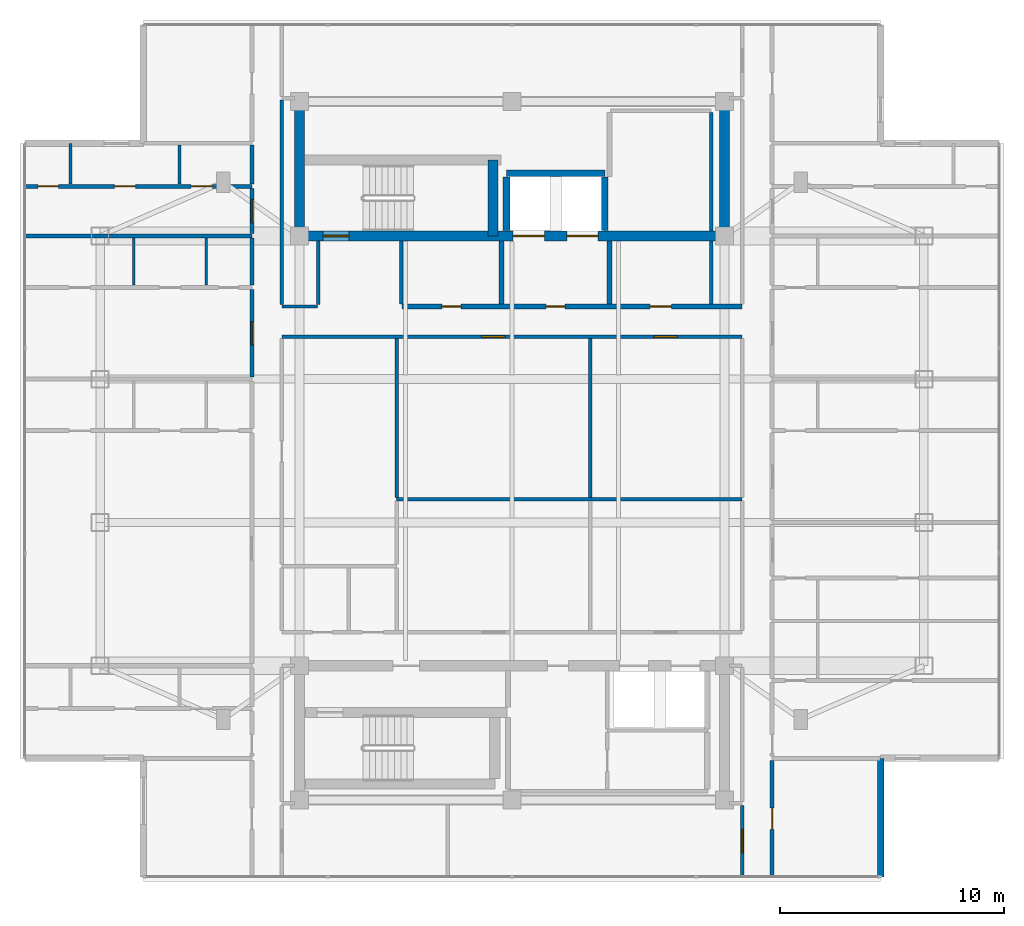
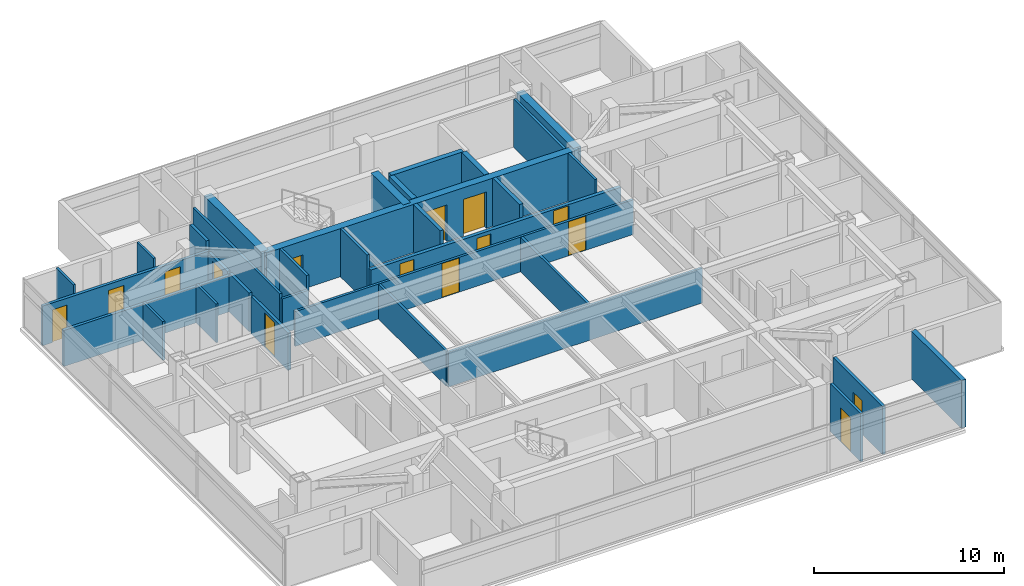
# One storey, part 9 of 14: 33 walls, 15 doors, 15 openings.
"""IFC4 building model written with IfcOpenShell, lengths in metres."""

from ifc_helpers import new_model, si_unit, direction, frame, frame_2d, origin, place, context, subcontext, project, spatial, rectangle, extrude, material, layer, layer_set, type_object, element, fill, save


model = new_model("IFC4")

# Units and contexts
model_context = context("Model", 3, precision=1e-05, world=origin(), true_north=direction((0.0, 1.0)))
body_context = subcontext(model_context, "Body", "Model", "MODEL_VIEW")
ifc_project = project(units=[si_unit("LENGTHUNIT", "METRE"), si_unit("AREAUNIT", "SQUARE_METRE"), si_unit("VOLUMEUNIT", "CUBIC_METRE"), si_unit("PLANEANGLEUNIT", "RADIAN"), si_unit("MASSUNIT", "GRAM", prefix="KILO")], contexts=[model_context])

# Site, building, storey
site_placement = place(None, origin())
site = spatial("IfcSite", under=ifc_project, at=site_placement, CompositionType="ELEMENT")
building_placement = place(site_placement, origin())
building = spatial("IfcBuilding", under=site, at=building_placement, Name="Mirazonda Arch Towers", CompositionType="ELEMENT")
storey_placement = place(building_placement, frame((0.0, 0.0, 239.199951171875)))
storey = spatial("IfcBuildingStorey", under=building, at=storey_placement, Name="L68", CompositionType="ELEMENT", Elevation=239.199951171875)

# Walls
ifc_material_1 = material(Name="Concrete C50/60", Category="concrete")
ifc_layer_1 = layer(ifc_material_1, 0.449951171875, Name="WALL-CORE-450")
ifc_layer_set_1 = layer_set([ifc_layer_1], Name="Concrete C50/60")
wall_type_1 = type_object("IfcWallType", Name="WALL-CORE-450", PredefinedType="SHEAR", material=ifc_layer_set_1)
for number, where, z_axis, x_axis, name in (
    (1, (11.0, 37.60009765625, 0.0), (0.0, 0.0, 1.0), (0.0, 1.0, 0.0), "L68 T1N-W Core Shear Wall"),
    (2, (30.0, 37.60009765625, 0.0), (0.0, 0.0, 1.0), (0.0, 1.0, 0.0), "L68 T1N-E Core Shear Wall"),
):
    element("IfcWall", number, at=place(storey_placement, frame(where, z_axis=z_axis, x_axis=x_axis)), inside=storey, type_object=wall_type_1, Name=name, PredefinedType="SHEAR", context=body_context, shape_type="SweptSolid", body=[
        extrude(rectangle(XDim=6.0, YDim=0.449951171875, at=frame_2d((3.0, 0.0))), origin(), (0.0, 0.0, 1.0), 3.10009765625),
    ])

# Wall, openings, doors
wall_1_placement = place(storey_placement, frame((11.0, 37.60009765625, 0.0), z_axis=(0.0, 0.0, 1.0), x_axis=(1.0, 0.0, 0.0)))
wall_1 = element("IfcWall", 3, at=wall_1_placement, inside=storey, type_object=wall_type_1, Name="L68 T1N-S Core Shear Wall", PredefinedType="SHEAR", context=body_context, shape_type="SweptSolid", body=[
    extrude(rectangle(XDim=19.0, YDim=0.449951171875, at=frame_2d((9.5, 0.0))), origin(), (0.0, 0.0, 1.0), 3.10009765625),
])
opening_1_placement = place(wall_1_placement, frame((1.06005859375, 0.0, 0.0)))
opening_1 = element("IfcOpeningElement", 4, at=opening_1_placement, cuts=wall_1, Name="Opening DR-135", PredefinedType="OPENING", context=body_context, shape_type="SweptSolid", body=[
    extrude(rectangle(XDim=1.14990234375, YDim=2.199951171875, at=frame_2d((0.574951171875, 1.10009765625))), frame((0.0, 0.23486328125, 0.0), z_axis=(0.0, -1.0, 0.0), x_axis=(1.0, 0.0, 0.0)), (0.0, 0.0, 1.0), 0.469970703125),
])
opening_2_placement = place(wall_1_placement, frame((9.550048828125, 0.0, 0.0)))
opening_2 = element("IfcOpeningElement", 5, at=opening_2_placement, cuts=wall_1, Name="Opening LD-112", PredefinedType="OPENING", context=body_context, shape_type="SweptSolid", body=[
    extrude(rectangle(XDim=1.39990234375, YDim=2.35009765625, at=frame_2d((0.699951171875, 1.175048828125))), frame((0.0, 0.23486328125, 0.0), z_axis=(0.0, -1.0, 0.0), x_axis=(1.0, 0.0, 0.0)), (0.0, 0.0, 1.0), 0.469970703125),
])
opening_3_placement = place(wall_1_placement, frame((11.949951171875, 0.0, 0.0)))
opening_3 = element("IfcOpeningElement", 6, at=opening_3_placement, cuts=wall_1, Name="Opening LD-112", PredefinedType="OPENING", context=body_context, shape_type="SweptSolid", body=[
    extrude(rectangle(XDim=1.39990234375, YDim=2.35009765625, at=frame_2d((0.699951171875, 1.175048828125))), frame((0.0, 0.23486328125, 0.0), z_axis=(0.0, -1.0, 0.0), x_axis=(1.0, 0.0, 0.0)), (0.0, 0.0, 1.0), 0.469970703125),
])
ifc_material_2 = material(Name="Architectural Brushed Steel S355", Category="steel")
door_type_1 = type_object("IfcDoorType", Name="DOOR-LIFT-FFL-1400", OperationType="NOTDEFINED", PredefinedType="DOOR", material=ifc_material_2)
door_1_placement = place(opening_2_placement, origin())
door_1 = element("IfcDoor", 7, at=door_1_placement, inside=storey, type_object=door_type_1, Name="L68 Lift Landing Sliding Door FFL-T1", OperationType="DOUBLE_DOOR_SLIDING", OverallHeight=2.35009765625, OverallWidth=1.39990234375, PredefinedType="DOOR", context=body_context, shape_type="SweptSolid", body=[
    extrude(rectangle(XDim=1.39990234375, YDim=2.35009765625, at=frame_2d((0.699951171875, 1.175048828125))), frame((0.0, 0.02490234375, 0.0), z_axis=(0.0, -1.0, 0.0), x_axis=(1.0, 0.0, 0.0)), (0.0, 0.0, 1.0), 0.050048828125),
])
fill(opening_2, door_1)
door_2_placement = place(opening_3_placement, origin())
door_2 = element("IfcDoor", 8, at=door_2_placement, inside=storey, type_object=door_type_1, Name="L68 Lift Landing Sliding Door SVL-T1", OperationType="DOUBLE_DOOR_SLIDING", OverallHeight=2.35009765625, OverallWidth=1.39990234375, PredefinedType="DOOR", context=body_context, shape_type="SweptSolid", body=[
    extrude(rectangle(XDim=1.39990234375, YDim=2.35009765625, at=frame_2d((0.699951171875, 1.175048828125))), frame((0.0, 0.02490234375, 0.0), z_axis=(0.0, -1.0, 0.0), x_axis=(1.0, 0.0, 0.0)), (0.0, 0.0, 1.0), 0.050048828125),
])
fill(opening_3, door_2)
door_type_2 = type_object("IfcDoorType", Name="DOOR-STAIR-FD90-1150", OperationType="NOTDEFINED", PredefinedType="DOOR", material=ifc_material_2)
door_3_placement = place(opening_1_placement, origin())
door_3 = element("IfcDoor", 9, at=door_3_placement, inside=storey, type_object=door_type_2, Name="L68 Protected Exit Stair North Door", OperationType="SINGLE_SWING_RIGHT", OverallHeight=2.199951171875, OverallWidth=1.14990234375, PredefinedType="DOOR", context=body_context, shape_type="SweptSolid", body=[
    extrude(rectangle(XDim=1.14990234375, YDim=2.199951171875, at=frame_2d((0.574951171875, 1.10009765625))), frame((0.0, 0.02490234375, 0.0), z_axis=(0.0, -1.0, 0.0), x_axis=(1.0, 0.0, 0.0)), (0.0, 0.0, 1.0), 0.050048828125),
])
fill(opening_1, door_3)

# Walls
wall_2_placement = place(storey_placement, frame((19.64990234375, 37.60009765625, 0.0), z_axis=(0.0, 0.0, 1.0), x_axis=(0.0, 1.0, 0.0)))
element("IfcWall", 10, at=wall_2_placement, inside=storey, type_object=wall_type_1, Name="L68 T1N-STE Core Shear Wall", PredefinedType="SHEAR", context=body_context, shape_type="SweptSolid", body=[
    extrude(rectangle(XDim=3.392822265625, YDim=0.449951171875, at=frame_2d((1.6962890625, 0.0))), origin(), (0.0, 0.0, 1.0), 3.10009765625),
])
ifc_material_3 = material(Name="Precast Concrete C40/50", Category="concrete")
ifc_layer_2 = layer(ifc_material_3, 0.280029296875, Name="WALL-EXT-WALL-280")
ifc_layer_set_2 = layer_set([ifc_layer_2], Name="Precast Concrete C40/50")
wall_type_2 = type_object("IfcWallType", Name="WALL-EXT-WALL-280", PredefinedType="SOLIDWALL", material=ifc_layer_set_2)
wall_3_placement = place(storey_placement, frame((36.969970703125, 8.971923828125, 0.0), z_axis=(0.0, 0.0, 1.0), x_axis=(0.0, 1.0, 0.0)))
element("IfcWall", 11, at=wall_3_placement, inside=storey, type_object=wall_type_2, Name="L68 T1 Corner Notch Return Wall WL-L68-T1-CSE2", PredefinedType="SOLIDWALL", context=body_context, shape_type="SweptSolid", body=[
    extrude(rectangle(XDim=5.2900390625, YDim=0.280029296875, at=frame_2d((2.64501953125, 0.0))), origin(), (0.0, 0.0, 1.0), 3.080078125),
])

# Wall, openings, doors
ifc_material_4 = material(Name="Concrete C40/50", Category="concrete")
ifc_layer_3 = layer(ifc_material_4, 0.219970703125, Name="WALL-FFL-220")
ifc_layer_set_3 = layer_set([ifc_layer_3], Name="Concrete C40/50")
wall_type_3 = type_object("IfcWallType", Name="WALL-FFL-220", PredefinedType="SOLIDWALL", material=ifc_layer_set_3)
wall_4_placement = place(storey_placement, frame((15.590087890625, 34.449951171875, 0.0), z_axis=(0.0, 0.0, 1.0), x_axis=(1.0, 0.0, 0.0)))
wall_4 = element("IfcWall", 12, at=wall_4_placement, inside=storey, type_object=wall_type_3, Name="L68 Interior Partition 026", PredefinedType="SOLIDWALL", context=body_context, shape_type="SweptSolid", body=[
    extrude(rectangle(XDim=15.18994140625, YDim=0.219970703125, at=frame_2d((7.594970703125, 0.0))), origin(), (0.0, 0.0, 1.0), 2.236083984375),
])
opening_4_placement = place(wall_4_placement, frame((6.43505859375, 0.0, 0.0)))
opening_4 = element("IfcOpeningElement", 13, at=opening_4_placement, cuts=wall_4, Name="Opening DR-128", PredefinedType="OPENING", context=body_context, shape_type="SweptSolid", body=[
    extrude(rectangle(XDim=0.85009765625, YDim=2.010009765625, at=frame_2d((0.425048828125, 1.0048828125))), frame((0.0, 0.119873046875, 0.0), z_axis=(0.0, -1.0, 0.0), x_axis=(1.0, 0.0, 0.0)), (0.0, 0.0, 1.0), 0.239990234375),
])
opening_5_placement = place(wall_4_placement, frame((11.0849609375, 0.0, 0.0)))
opening_5 = element("IfcOpeningElement", 14, at=opening_5_placement, cuts=wall_4, Name="Opening DR-104", PredefinedType="OPENING", context=body_context, shape_type="SweptSolid", body=[
    extrude(rectangle(XDim=0.949951171875, YDim=2.14990234375, at=frame_2d((0.47509765625, 1.074951171875))), frame((0.0, 0.119873046875, 0.0), z_axis=(0.0, -1.0, 0.0), x_axis=(1.0, 0.0, 0.0)), (0.0, 0.0, 1.0), 0.239990234375),
])
opening_6_placement = place(wall_4_placement, frame((1.77490234375, 0.0, 0.0)))
opening_6 = element("IfcOpeningElement", 15, at=opening_6_placement, cuts=wall_4, Name="Opening DR-128", PredefinedType="OPENING", context=body_context, shape_type="SweptSolid", body=[
    extrude(rectangle(XDim=0.85009765625, YDim=2.010009765625, at=frame_2d((0.425048828125, 1.0048828125))), frame((0.0, 0.119873046875, 0.0), z_axis=(0.0, -1.0, 0.0), x_axis=(1.0, 0.0, 0.0)), (0.0, 0.0, 1.0), 0.239990234375),
])
door_type_3 = type_object("IfcDoorType", Name="DOOR-RISER-FD60-850", OperationType="NOTDEFINED", PredefinedType="DOOR", material=ifc_material_2)
door_4_placement = place(opening_4_placement, origin())
door_4 = element("IfcDoor", 16, at=door_4_placement, inside=storey, type_object=door_type_3, Name="L68 Firefighting Lift Lobby Door", OperationType="SINGLE_SWING_LEFT", OverallHeight=2.010009765625, OverallWidth=0.85009765625, PredefinedType="DOOR", context=body_context, shape_type="SweptSolid", body=[
    extrude(rectangle(XDim=0.85009765625, YDim=2.010009765625, at=frame_2d((0.425048828125, 1.0048828125))), frame((0.0, 0.02490234375, 0.0), z_axis=(0.0, -1.0, 0.0), x_axis=(1.0, 0.0, 0.0)), (0.0, 0.0, 1.0), 0.050048828125),
])
fill(opening_4, door_4)
door_5_placement = place(opening_6_placement, origin())
door_5 = element("IfcDoor", 17, at=door_5_placement, inside=storey, type_object=door_type_3, Name="L68 Housekeeping Linen Room Door", OperationType="SINGLE_SWING_LEFT", OverallHeight=2.010009765625, OverallWidth=0.85009765625, PredefinedType="DOOR", context=body_context, shape_type="SweptSolid", body=[
    extrude(rectangle(XDim=0.85009765625, YDim=2.010009765625, at=frame_2d((0.425048828125, 1.0048828125))), frame((0.0, 0.02490234375, 0.0), z_axis=(0.0, -1.0, 0.0), x_axis=(1.0, 0.0, 0.0)), (0.0, 0.0, 1.0), 0.050048828125),
])
fill(opening_6, door_5)
door_type_4 = type_object("IfcDoorType", Name="DOOR-ROOM-950", OperationType="NOTDEFINED", PredefinedType="DOOR", material=ifc_material_2)
door_6_placement = place(opening_5_placement, origin())
door_6 = element("IfcDoor", 18, at=door_6_placement, inside=storey, type_object=door_type_4, Name="L68 Residents Private Art Gallery Door", OperationType="SINGLE_SWING_RIGHT", OverallHeight=2.14990234375, OverallWidth=0.949951171875, PredefinedType="DOOR", context=body_context, shape_type="SweptSolid", body=[
    extrude(rectangle(XDim=0.949951171875, YDim=2.14990234375, at=frame_2d((0.47509765625, 1.074951171875))), frame((0.0, 0.02490234375, 0.0), z_axis=(0.0, -1.0, 0.0), x_axis=(1.0, 0.0, 0.0)), (0.0, 0.0, 1.0), 0.050048828125),
])
fill(opening_5, door_6)

# Walls
for number, where, z_axis, x_axis, name in (
    (19, (20.02490234375, 34.570068359375, 0.0), (0.0, 0.0, 1.0), (0.0, 1.0, 0.0), "L68 Interior Partition 071"),
    (20, (24.85009765625, 34.570068359375, 0.0), (0.0, 0.0, 1.0), (0.0, 1.0, 0.0), "L68 Interior Partition 080"),
):
    element("IfcWall", number, at=place(storey_placement, frame(where, z_axis=z_axis, x_axis=x_axis)), inside=storey, type_object=wall_type_3, Name=name, PredefinedType="SOLIDWALL", context=body_context, shape_type="SweptSolid", body=[
        extrude(rectangle(XDim=2.809814453125, YDim=0.219970703125, at=frame_2d((1.40478515625, 0.0))), origin(), (0.0, 0.0, 1.0), 3.10009765625),
    ])
ifc_material_5 = material(Name="Fire-Rated Gypsum Stud Partition")
ifc_layer_4 = layer(ifc_material_5, 0.14990234375, Name="WALL-PART-CORR-150")
ifc_layer_set_4 = layer_set([ifc_layer_4], Name="Fire-Rated Gypsum Stud Partition")
wall_type_4 = type_object("IfcWallType", Name="WALL-PART-CORR-150", PredefinedType="PARTITIONING", material=ifc_layer_set_4)
wall_5_placement = place(storey_placement, frame((15.35009765625, 25.840087890625, 0.0), z_axis=(0.0, 0.0, 1.0), x_axis=(1.0, 0.0, 0.0)))
element("IfcWall", 21, at=wall_5_placement, inside=storey, type_object=wall_type_4, Name="L68 Interior Partition 019", PredefinedType="PARTITIONING", context=body_context, shape_type="SweptSolid", body=[
    extrude(rectangle(XDim=15.429931640625, YDim=0.14990234375, at=frame_2d((7.71484375, 0.0))), origin(), (0.0, 0.0, 1.0), 2.236083984375),
])

# Wall, openings, doors
wall_6_placement = place(storey_placement, frame((10.219970703125, 33.10009765625, 0.0), z_axis=(0.0, 0.0, 1.0), x_axis=(1.0, 0.0, 0.0)))
wall_6 = element("IfcWall", 22, at=wall_6_placement, inside=storey, type_object=wall_type_4, Name="L68 Interior Partition 024", PredefinedType="PARTITIONING", context=body_context, shape_type="SweptSolid", body=[
    extrude(rectangle(XDim=20.56005859375, YDim=0.14990234375, at=frame_2d((10.280029296875, 0.0))), origin(), (0.0, 0.0, 1.0), 2.236083984375),
])
opening_7_placement = place(wall_6_placement, frame((8.925537109375, 0.0, 0.0)))
opening_7 = element("IfcOpeningElement", 23, at=opening_7_placement, cuts=wall_6, Name="Opening DR-121", PredefinedType="OPENING", context=body_context, shape_type="SweptSolid", body=[
    extrude(rectangle(XDim=1.050048828125, YDim=2.199951171875, at=frame_2d((0.52490234375, 1.10009765625))), frame((0.0, 0.0849609375, 0.0), z_axis=(0.0, -1.0, 0.0), x_axis=(1.0, 0.0, 0.0)), (0.0, 0.0, 1.0), 0.169921875),
])
opening_8_placement = place(wall_6_placement, frame((16.62060546875, 0.0, 0.0)))
opening_8 = element("IfcOpeningElement", 24, at=opening_8_placement, cuts=wall_6, Name="Opening DR-121", PredefinedType="OPENING", context=body_context, shape_type="SweptSolid", body=[
    extrude(rectangle(XDim=1.050048828125, YDim=2.199951171875, at=frame_2d((0.52490234375, 1.10009765625))), frame((0.0, 0.0849609375, 0.0), z_axis=(0.0, -1.0, 0.0), x_axis=(1.0, 0.0, 0.0)), (0.0, 0.0, 1.0), 0.169921875),
])
door_type_5 = type_object("IfcDoorType", Name="DOOR-SUITE-FD60-1050", OperationType="NOTDEFINED", PredefinedType="DOOR", material=ifc_material_2)
door_7_placement = place(opening_7_placement, origin())
door_7 = element("IfcDoor", 25, at=door_7_placement, inside=storey, type_object=door_type_5, Name="L68 Private Dining Room Door", OperationType="SINGLE_SWING_RIGHT", OverallHeight=2.199951171875, OverallWidth=1.050048828125, PredefinedType="DOOR", context=body_context, shape_type="SweptSolid", body=[
    extrude(rectangle(XDim=1.050048828125, YDim=2.199951171875, at=frame_2d((0.52490234375, 1.10009765625))), frame((0.0, 0.02490234375, 0.0), z_axis=(0.0, -1.0, 0.0), x_axis=(1.0, 0.0, 0.0)), (0.0, 0.0, 1.0), 0.050048828125),
])
fill(opening_7, door_7)
door_8_placement = place(opening_8_placement, origin())
door_8 = element("IfcDoor", 26, at=door_8_placement, inside=storey, type_object=door_type_5, Name="L68 Collectors Gallery Study Door", OperationType="SINGLE_SWING_LEFT", OverallHeight=2.199951171875, OverallWidth=1.050048828125, PredefinedType="DOOR", context=body_context, shape_type="SweptSolid", body=[
    extrude(rectangle(XDim=1.050048828125, YDim=2.199951171875, at=frame_2d((0.52490234375, 1.10009765625))), frame((0.0, 0.02490234375, 0.0), z_axis=(0.0, -1.0, 0.0), x_axis=(1.0, 0.0, 0.0)), (0.0, 0.0, 1.0), 0.050048828125),
])
fill(opening_8, door_8)

# Walls
wall_7_placement = place(storey_placement, frame((10.219970703125, 34.449951171875, 0.0), z_axis=(0.0, 0.0, 1.0), x_axis=(1.0, 0.0, 0.0)))
element("IfcWall", 27, at=wall_7_placement, inside=storey, type_object=wall_type_4, Name="L68 Interior Partition 025", PredefinedType="PARTITIONING", context=body_context, shape_type="SweptSolid", body=[
    extrude(rectangle(XDim=1.580078125, YDim=0.14990234375, at=frame_2d((0.7900390625, 0.0))), origin(), (0.0, 0.0, 1.0), 2.236083984375),
])
wall_8_placement = place(storey_placement, frame((10.219970703125, 34.534912109375, 0.0), z_axis=(0.0, 0.0, 1.0), x_axis=(0.0, 1.0, 0.0)))
element("IfcWall", 28, at=wall_8_placement, inside=storey, type_object=wall_type_4, Name="L68 Interior Partition 061", PredefinedType="PARTITIONING", context=body_context, shape_type="SweptSolid", body=[
    extrude(rectangle(XDim=9.130126953125, YDim=0.14990234375, at=frame_2d((4.56494140625, 0.0))), origin(), (0.0, 0.0, 1.0), 2.491943359375),
])
wall_9_placement = place(storey_placement, frame((11.85009765625, 34.534912109375, 0.0), z_axis=(0.0, 0.0, 1.0), x_axis=(0.0, 1.0, 0.0)))
element("IfcWall", 29, at=wall_9_placement, inside=storey, type_object=wall_type_4, Name="L68 Interior Partition 063", PredefinedType="PARTITIONING", context=body_context, shape_type="SweptSolid", body=[
    extrude(rectangle(XDim=2.844970703125, YDim=0.14990234375, at=frame_2d((1.42236328125, 0.0))), origin(), (0.0, 0.0, 1.0), 3.10009765625),
])
wall_10_placement = place(storey_placement, frame((15.35009765625, 25.925048828125, 0.0), z_axis=(0.0, 0.0, 1.0), x_axis=(0.0, 1.0, 0.0)))
element("IfcWall", 30, at=wall_10_placement, inside=storey, type_object=wall_type_4, Name="L68 Interior Partition 067", PredefinedType="PARTITIONING", context=body_context, shape_type="SweptSolid", body=[
    extrude(rectangle(XDim=7.08984375, YDim=0.14990234375, at=frame_2d((3.544921875, 0.0))), origin(), (0.0, 0.0, 1.0), 2.236083984375),
])
wall_11_placement = place(storey_placement, frame((15.550048828125, 34.570068359375, 0.0), z_axis=(0.0, 0.0, 1.0), x_axis=(0.0, 1.0, 0.0)))
element("IfcWall", 31, at=wall_11_placement, inside=storey, type_object=wall_type_4, Name="L68 Interior Partition 068", PredefinedType="PARTITIONING", context=body_context, shape_type="SweptSolid", body=[
    extrude(rectangle(XDim=2.809814453125, YDim=0.14990234375, at=frame_2d((1.40478515625, 0.0))), origin(), (0.0, 0.0, 1.0), 3.10009765625),
])
wall_12_placement = place(storey_placement, frame((23.990966796875, 25.925048828125, 0.0), z_axis=(0.0, 0.0, 1.0), x_axis=(0.0, 1.0, 0.0)))
element("IfcWall", 32, at=wall_12_placement, inside=storey, type_object=wall_type_4, Name="L68 Interior Partition 076", PredefinedType="PARTITIONING", context=body_context, shape_type="SweptSolid", body=[
    extrude(rectangle(XDim=7.08984375, YDim=0.14990234375, at=frame_2d((3.544921875, 0.0))), origin(), (0.0, 0.0, 1.0), 2.236083984375),
])
wall_13_placement = place(storey_placement, frame((29.39990234375, 34.570068359375, 0.0), z_axis=(0.0, 0.0, 1.0), x_axis=(0.0, 1.0, 0.0)))
element("IfcWall", 33, at=wall_13_placement, inside=storey, type_object=wall_type_4, Name="L68 Interior Partition 084", PredefinedType="PARTITIONING", context=body_context, shape_type="SweptSolid", body=[
    extrude(rectangle(XDim=2.809814453125, YDim=0.14990234375, at=frame_2d((1.40478515625, 0.0))), origin(), (0.0, 0.0, 1.0), 3.10009765625),
])
wall_14_placement = place(storey_placement, frame((29.39990234375, 37.820068359375, 0.0), z_axis=(0.0, 0.0, 1.0), x_axis=(0.0, 1.0, 0.0)))
element("IfcWall", 34, at=wall_14_placement, inside=storey, type_object=wall_type_4, Name="L68 Interior Partition 085", PredefinedType="PARTITIONING", context=body_context, shape_type="SweptSolid", body=[
    extrude(rectangle(XDim=5.294921875, YDim=0.14990234375, at=frame_2d((2.6474609375, 0.0))), origin(), (0.0, 0.0, 1.0), 3.10009765625),
])

# Wall, opening, door
wall_15_placement = place(storey_placement, frame((30.780029296875, 8.971923828125, 0.0), z_axis=(0.0, 0.0, 1.0), x_axis=(0.0, 1.0, 0.0)))
wall_15 = element("IfcWall", 35, at=wall_15_placement, inside=storey, type_object=wall_type_4, Name="L68 Interior Partition 086", PredefinedType="PARTITIONING", context=body_context, shape_type="SweptSolid", body=[
    extrude(rectangle(XDim=3.193115234375, YDim=0.14990234375, at=frame_2d((1.5966796875, 0.0))), origin(), (0.0, 0.0, 1.0), 3.10009765625),
])
opening_9_placement = place(wall_15_placement, frame((1.071533203125, 0.0, 0.0)))
opening_9 = element("IfcOpeningElement", 36, at=opening_9_placement, cuts=wall_15, Name="Opening DR-121", PredefinedType="OPENING", context=body_context, shape_type="SweptSolid", body=[
    extrude(rectangle(XDim=1.050048828125, YDim=2.199951171875, at=frame_2d((0.52490234375, 1.10009765625))), frame((0.0, 0.0849609375, 0.0), z_axis=(0.0, -1.0, 0.0), x_axis=(1.0, 0.0, 0.0)), (0.0, 0.0, 1.0), 0.169921875),
])
door_9_placement = place(opening_9_placement, origin())
door_9 = element("IfcDoor", 37, at=door_9_placement, inside=storey, type_object=door_type_5, Name="L68 South Panoramic Study Grand Door", OperationType="SINGLE_SWING_LEFT", OverallHeight=2.199951171875, OverallWidth=1.050048828125, PredefinedType="DOOR", context=body_context, shape_type="SweptSolid", body=[
    extrude(rectangle(XDim=1.050048828125, YDim=2.199951171875, at=frame_2d((0.52490234375, 1.10009765625))), frame((0.0, 0.02490234375, 0.0), z_axis=(0.0, -1.0, 0.0), x_axis=(1.0, 0.0, 0.0)), (0.0, 0.0, 1.0), 0.050048828125),
])
fill(opening_9, door_9)

# Wall
ifc_material_6 = material(Name="Fire-Rated Gypsum Twin-Stud Assembly")
ifc_layer_5 = layer(ifc_material_6, 0.179931640625, Name="WALL-PART-DEMISE-180")
ifc_layer_set_5 = layer_set([ifc_layer_5], Name="Fire-Rated Gypsum Twin-Stud Assembly")
wall_type_5 = type_object("IfcWallType", Name="WALL-PART-DEMISE-180", PredefinedType="PARTITIONING", material=ifc_layer_set_5)
wall_16_placement = place(storey_placement, frame((-1.260009765625, 37.60009765625, 0.0), z_axis=(0.0, 0.0, 1.0), x_axis=(1.0, 0.0, 0.0)))
element("IfcWall", 38, at=wall_16_placement, inside=storey, type_object=wall_type_5, Name="L68 Interior Partition 029", PredefinedType="PARTITIONING", context=body_context, shape_type="SweptSolid", body=[
    extrude(rectangle(XDim=10.139892578125, YDim=0.179931640625, at=frame_2d((5.06982421875, 0.0))), origin(), (0.0, 0.0, 1.0), 2.319091796875),
])

# Wall, openings, doors
wall_17_placement = place(storey_placement, frame((-1.260009765625, 39.818115234375, 0.0), z_axis=(0.0, 0.0, 1.0), x_axis=(1.0, 0.0, 0.0)))
wall_17 = element("IfcWall", 39, at=wall_17_placement, inside=storey, type_object=wall_type_5, Name="L68 Interior Partition 031", PredefinedType="PARTITIONING", context=body_context, shape_type="SweptSolid", body=[
    extrude(rectangle(XDim=10.139892578125, YDim=0.179931640625, at=frame_2d((5.06982421875, 0.0))), origin(), (0.0, 0.0, 1.0), 2.54296875),
])
opening_10_placement = place(wall_17_placement, frame((3.9951171875, 0.0, 0.0)))
opening_10 = element("IfcOpeningElement", 40, at=opening_10_placement, cuts=wall_17, Name="Opening DR-104", PredefinedType="OPENING", context=body_context, shape_type="SweptSolid", body=[
    extrude(rectangle(XDim=0.949951171875, YDim=2.14990234375, at=frame_2d((0.47509765625, 1.074951171875))), frame((0.0, 0.099853515625, 0.0), z_axis=(0.0, -1.0, 0.0), x_axis=(1.0, 0.0, 0.0)), (0.0, 0.0, 1.0), 0.199951171875),
])
opening_11_placement = place(wall_17_placement, frame((7.425048828125, 0.0, 0.0)))
opening_11 = element("IfcOpeningElement", 41, at=opening_11_placement, cuts=wall_17, Name="Opening DR-104", PredefinedType="OPENING", context=body_context, shape_type="SweptSolid", body=[
    extrude(rectangle(XDim=0.949951171875, YDim=2.14990234375, at=frame_2d((0.47509765625, 1.074951171875))), frame((0.0, 0.099853515625, 0.0), z_axis=(0.0, -1.0, 0.0), x_axis=(1.0, 0.0, 0.0)), (0.0, 0.0, 1.0), 0.199951171875),
])
opening_12_placement = place(wall_17_placement, frame((0.590087890625, 0.0, 0.0)))
opening_12 = element("IfcOpeningElement", 42, at=opening_12_placement, cuts=wall_17, Name="Opening DR-120", PredefinedType="OPENING", context=body_context, shape_type="SweptSolid", body=[
    extrude(rectangle(XDim=0.89990234375, YDim=2.10009765625, at=frame_2d((0.449951171875, 1.050048828125))), frame((0.0, 0.099853515625, 0.0), z_axis=(0.0, -1.0, 0.0), x_axis=(1.0, 0.0, 0.0)), (0.0, 0.0, 1.0), 0.199951171875),
])
door_10_placement = place(opening_10_placement, origin())
door_10 = element("IfcDoor", 43, at=door_10_placement, inside=storey, type_object=door_type_4, Name="L68 Residence 4 Principal Bedroom Door", OperationType="SINGLE_SWING_RIGHT", OverallHeight=2.14990234375, OverallWidth=0.949951171875, PredefinedType="DOOR", context=body_context, shape_type="SweptSolid", body=[
    extrude(rectangle(XDim=0.949951171875, YDim=2.14990234375, at=frame_2d((0.47509765625, 1.074951171875))), frame((0.0, 0.02490234375, 0.0), z_axis=(0.0, -1.0, 0.0), x_axis=(1.0, 0.0, 0.0)), (0.0, 0.0, 1.0), 0.050048828125),
])
fill(opening_10, door_10)
door_11_placement = place(opening_11_placement, origin())
door_11 = element("IfcDoor", 44, at=door_11_placement, inside=storey, type_object=door_type_4, Name="L68 Residence 4 Fitted Kitchen Door", OperationType="SINGLE_SWING_LEFT", OverallHeight=2.14990234375, OverallWidth=0.949951171875, PredefinedType="DOOR", context=body_context, shape_type="SweptSolid", body=[
    extrude(rectangle(XDim=0.949951171875, YDim=2.14990234375, at=frame_2d((0.47509765625, 1.074951171875))), frame((0.0, 0.02490234375, 0.0), z_axis=(0.0, -1.0, 0.0), x_axis=(1.0, 0.0, 0.0)), (0.0, 0.0, 1.0), 0.050048828125),
])
fill(opening_11, door_11)
door_type_6 = type_object("IfcDoorType", Name="DOOR-WC-900", OperationType="NOTDEFINED", PredefinedType="DOOR", material=ifc_material_2)
door_12_placement = place(opening_12_placement, origin())
door_12 = element("IfcDoor", 45, at=door_12_placement, inside=storey, type_object=door_type_6, Name="L68 Residence 4 Bathroom Door", OperationType="SINGLE_SWING_RIGHT", OverallHeight=2.10009765625, OverallWidth=0.89990234375, PredefinedType="DOOR", context=body_context, shape_type="SweptSolid", body=[
    extrude(rectangle(XDim=0.89990234375, YDim=2.10009765625, at=frame_2d((0.449951171875, 1.050048828125))), frame((0.0, 0.02490234375, 0.0), z_axis=(0.0, -1.0, 0.0), x_axis=(1.0, 0.0, 0.0)), (0.0, 0.0, 1.0), 0.050048828125),
])
fill(opening_12, door_12)

# Wall, opening, door
wall_18_placement = place(storey_placement, frame((8.8798828125, 31.300048828125, 0.0), z_axis=(0.0, 0.0, 1.0), x_axis=(0.0, 1.0, 0.0)))
wall_18 = element("IfcWall", 46, at=wall_18_placement, inside=storey, type_object=wall_type_5, Name="L68 Interior Partition 052", PredefinedType="PARTITIONING", context=body_context, shape_type="SweptSolid", body=[
    extrude(rectangle(XDim=3.89990234375, YDim=0.179931640625, at=frame_2d((1.949951171875, 0.0))), origin(), (0.0, 0.0, 1.0), 2.39599609375),
])
opening_13_placement = place(wall_18_placement, frame((1.425048828125, 0.0, 0.0)))
opening_13 = element("IfcOpeningElement", 47, at=opening_13_placement, cuts=wall_18, Name="Opening DR-121", PredefinedType="OPENING", context=body_context, shape_type="SweptSolid", body=[
    extrude(rectangle(XDim=1.050048828125, YDim=2.199951171875, at=frame_2d((0.52490234375, 1.10009765625))), frame((0.0, 0.099853515625, 0.0), z_axis=(0.0, -1.0, 0.0), x_axis=(1.0, 0.0, 0.0)), (0.0, 0.0, 1.0), 0.199951171875),
])
door_13_placement = place(opening_13_placement, origin())
door_13 = element("IfcDoor", 48, at=door_13_placement, inside=storey, type_object=door_type_5, Name="L68 Residence 3 Living & Dining Salon Door", OperationType="SINGLE_SWING_LEFT", OverallHeight=2.199951171875, OverallWidth=1.050048828125, PredefinedType="DOOR", context=body_context, shape_type="SweptSolid", body=[
    extrude(rectangle(XDim=1.050048828125, YDim=2.199951171875, at=frame_2d((0.52490234375, 1.10009765625))), frame((0.0, 0.02490234375, 0.0), z_axis=(0.0, -1.0, 0.0), x_axis=(1.0, 0.0, 0.0)), (0.0, 0.0, 1.0), 0.050048828125),
])
fill(opening_13, door_13)

# Wall
wall_19_placement = place(storey_placement, frame((8.8798828125, 35.39990234375, 0.0), z_axis=(0.0, 0.0, 1.0), x_axis=(0.0, 1.0, 0.0)))
element("IfcWall", 49, at=wall_19_placement, inside=storey, type_object=wall_type_5, Name="L68 Interior Partition 053", PredefinedType="PARTITIONING", context=body_context, shape_type="SweptSolid", body=[
    extrude(rectangle(XDim=2.10009765625, YDim=0.179931640625, at=frame_2d((1.050048828125, 0.0))), origin(), (0.0, 0.0, 1.0), 2.491943359375),
])

# Wall, opening, door
wall_20_placement = place(storey_placement, frame((8.8798828125, 37.699951171875, 0.0), z_axis=(0.0, 0.0, 1.0), x_axis=(0.0, 1.0, 0.0)))
wall_20 = element("IfcWall", 50, at=wall_20_placement, inside=storey, type_object=wall_type_5, Name="L68 Interior Partition 054", PredefinedType="PARTITIONING", context=body_context, shape_type="SweptSolid", body=[
    extrude(rectangle(XDim=2.01806640625, YDim=0.179931640625, at=frame_2d((1.009033203125, 0.0))), origin(), (0.0, 0.0, 1.0), 2.491943359375),
])
opening_14_placement = place(wall_20_placement, frame((0.48388671875, 0.0, 0.0)))
opening_14 = element("IfcOpeningElement", 51, at=opening_14_placement, cuts=wall_20, Name="Opening DR-121", PredefinedType="OPENING", context=body_context, shape_type="SweptSolid", body=[
    extrude(rectangle(XDim=1.050048828125, YDim=2.199951171875, at=frame_2d((0.52490234375, 1.10009765625))), frame((0.0, 0.099853515625, 0.0), z_axis=(0.0, -1.0, 0.0), x_axis=(1.0, 0.0, 0.0)), (0.0, 0.0, 1.0), 0.199951171875),
])
door_14_placement = place(opening_14_placement, origin())
door_14 = element("IfcDoor", 52, at=door_14_placement, inside=storey, type_object=door_type_5, Name="L68 Residence 4 Living & Dining Salon Door", OperationType="SINGLE_SWING_LEFT", OverallHeight=2.199951171875, OverallWidth=1.050048828125, PredefinedType="DOOR", context=body_context, shape_type="SweptSolid", body=[
    extrude(rectangle(XDim=1.050048828125, YDim=2.199951171875, at=frame_2d((0.52490234375, 1.10009765625))), frame((0.0, 0.02490234375, 0.0), z_axis=(0.0, -1.0, 0.0), x_axis=(1.0, 0.0, 0.0)), (0.0, 0.0, 1.0), 0.050048828125),
])
fill(opening_14, door_14)

# Wall
wall_21_placement = place(storey_placement, frame((8.8798828125, 39.91796875, 0.0), z_axis=(0.0, 0.0, 1.0), x_axis=(0.0, 1.0, 0.0)))
element("IfcWall", 53, at=wall_21_placement, inside=storey, type_object=wall_type_5, Name="L68 Interior Partition 055", PredefinedType="PARTITIONING", context=body_context, shape_type="SweptSolid", body=[
    extrude(rectangle(XDim=1.735107421875, YDim=0.179931640625, at=frame_2d((0.86767578125, 0.0))), origin(), (0.0, 0.0, 1.0), 3.10009765625),
])

# Wall, opening, door
wall_22_placement = place(storey_placement, frame((32.1201171875, 8.971923828125, 0.0), z_axis=(0.0, 0.0, 1.0), x_axis=(0.0, 1.0, 0.0)))
wall_22 = element("IfcWall", 54, at=wall_22_placement, inside=storey, type_object=wall_type_5, Name="L68 Interior Partition 092", PredefinedType="PARTITIONING", context=body_context, shape_type="SweptSolid", body=[
    extrude(rectangle(XDim=5.190185546875, YDim=0.179931640625, at=frame_2d((2.59521484375, 0.0))), origin(), (0.0, 0.0, 1.0), 3.10009765625),
])
opening_15_placement = place(wall_22_placement, frame((2.1201171875, 0.0, 0.0)))
opening_15 = element("IfcOpeningElement", 55, at=opening_15_placement, cuts=wall_22, Name="Opening DR-104", PredefinedType="OPENING", context=body_context, shape_type="SweptSolid", body=[
    extrude(rectangle(XDim=0.949951171875, YDim=2.14990234375, at=frame_2d((0.47509765625, 1.074951171875))), frame((0.0, 0.099853515625, 0.0), z_axis=(0.0, -1.0, 0.0), x_axis=(1.0, 0.0, 0.0)), (0.0, 0.0, 1.0), 0.199951171875),
])
door_15_placement = place(opening_15_placement, origin())
door_15 = element("IfcDoor", 56, at=door_15_placement, inside=storey, type_object=door_type_4, Name="L68 South Panoramic Study Alcove East Door", OperationType="SINGLE_SWING_LEFT", OverallHeight=2.14990234375, OverallWidth=0.949951171875, PredefinedType="DOOR", context=body_context, shape_type="SweptSolid", body=[
    extrude(rectangle(XDim=0.949951171875, YDim=2.14990234375, at=frame_2d((0.47509765625, 1.074951171875))), frame((0.0, 0.02490234375, 0.0), z_axis=(0.0, -1.0, 0.0), x_axis=(1.0, 0.0, 0.0)), (0.0, 0.0, 1.0), 0.050048828125),
])
fill(opening_15, door_15)

# Walls
ifc_material_7 = material(Name="Acoustic Fire-Rated Gypsum Partition")
ifc_layer_6 = layer(ifc_material_7, 0.125, Name="WALL-PART-UNIT-125")
ifc_layer_set_6 = layer_set([ifc_layer_6], Name="Acoustic Fire-Rated Gypsum Partition")
wall_type_6 = type_object("IfcWallType", Name="WALL-PART-UNIT-125", PredefinedType="PARTITIONING", material=ifc_layer_set_6)
wall_23_placement = place(storey_placement, frame((0.780029296875, 39.91796875, 0.0), z_axis=(0.0, 0.0, 1.0), x_axis=(0.0, 1.0, 0.0)))
element("IfcWall", 57, at=wall_23_placement, inside=storey, type_object=wall_type_6, Name="L68 Interior Partition 040", PredefinedType="PARTITIONING", context=body_context, shape_type="SweptSolid", body=[
    extrude(rectangle(XDim=1.820068359375, YDim=0.125, at=frame_2d((0.91015625, 0.0))), origin(), (0.0, 0.0, 1.0), 3.10009765625),
])
wall_24_placement = place(storey_placement, frame((3.60009765625, 35.39990234375, 0.0), z_axis=(0.0, 0.0, 1.0), x_axis=(0.0, 1.0, 0.0)))
element("IfcWall", 58, at=wall_24_placement, inside=storey, type_object=wall_type_6, Name="L68 Interior Partition 042", PredefinedType="PARTITIONING", context=body_context, shape_type="SweptSolid", body=[
    extrude(rectangle(XDim=2.10009765625, YDim=0.125, at=frame_2d((1.050048828125, 0.0))), origin(), (0.0, 0.0, 1.0), 2.491943359375),
])
wall_25_placement = place(storey_placement, frame((5.639892578125, 39.91796875, 0.0), z_axis=(0.0, 0.0, 1.0), x_axis=(0.0, 1.0, 0.0)))
element("IfcWall", 59, at=wall_25_placement, inside=storey, type_object=wall_type_6, Name="L68 Interior Partition 044", PredefinedType="PARTITIONING", context=body_context, shape_type="SweptSolid", body=[
    extrude(rectangle(XDim=1.735107421875, YDim=0.125, at=frame_2d((0.86767578125, 0.0))), origin(), (0.0, 0.0, 1.0), 3.10009765625),
])
wall_26_placement = place(storey_placement, frame((6.840087890625, 35.39990234375, 0.0), z_axis=(0.0, 0.0, 1.0), x_axis=(0.0, 1.0, 0.0)))
element("IfcWall", 60, at=wall_26_placement, inside=storey, type_object=wall_type_6, Name="L68 Interior Partition 046", PredefinedType="PARTITIONING", context=body_context, shape_type="SweptSolid", body=[
    extrude(rectangle(XDim=2.10009765625, YDim=0.125, at=frame_2d((1.050048828125, 0.0))), origin(), (0.0, 0.0, 1.0), 2.491943359375),
])
ifc_layer_7 = layer(ifc_material_1, 0.300048828125, Name="WALL-SHAFT-300")
ifc_layer_set_7 = layer_set([ifc_layer_7], Name="Concrete C50/60")
wall_type_7 = type_object("IfcWallType", Name="WALL-SHAFT-300", PredefinedType="SOLIDWALL", material=ifc_layer_set_7)
wall_27_placement = place(storey_placement, frame((20.25, 40.39990234375, 0.0), z_axis=(0.0, 0.0, 1.0), x_axis=(1.0, 0.0, 0.0)))
element("IfcWall", 61, at=wall_27_placement, inside=storey, type_object=wall_type_7, Name="L68 Interior Partition 033", PredefinedType="SOLIDWALL", context=body_context, shape_type="SweptSolid", body=[
    extrude(rectangle(XDim=4.39990234375, YDim=0.300048828125, at=frame_2d((2.199951171875, 0.0))), origin(), (0.0, 0.0, 1.0), 3.10009765625),
])
for number, where, z_axis, x_axis, name in (
    (62, (20.25, 37.85009765625, 0.0), (0.0, 0.0, 1.0), (0.0, 1.0, 0.0), "L68 Interior Partition 074"),
    (63, (24.64990234375, 37.85009765625, 0.0), (0.0, 0.0, 1.0), (0.0, 1.0, 0.0), "L68 Interior Partition 079"),
):
    element("IfcWall", number, at=place(storey_placement, frame(where, z_axis=z_axis, x_axis=x_axis)), inside=storey, type_object=wall_type_7, Name=name, PredefinedType="SOLIDWALL", context=body_context, shape_type="SweptSolid", body=[
        extrude(rectangle(XDim=2.389892578125, YDim=0.300048828125, at=frame_2d((1.19482421875, 0.0))), origin(), (0.0, 0.0, 1.0), 3.10009765625),
    ])

save(model, "model.ifc")
